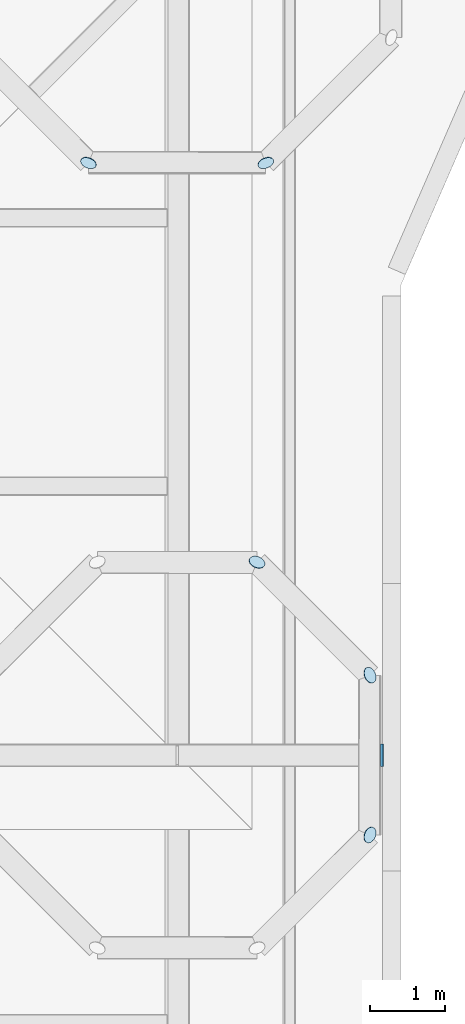
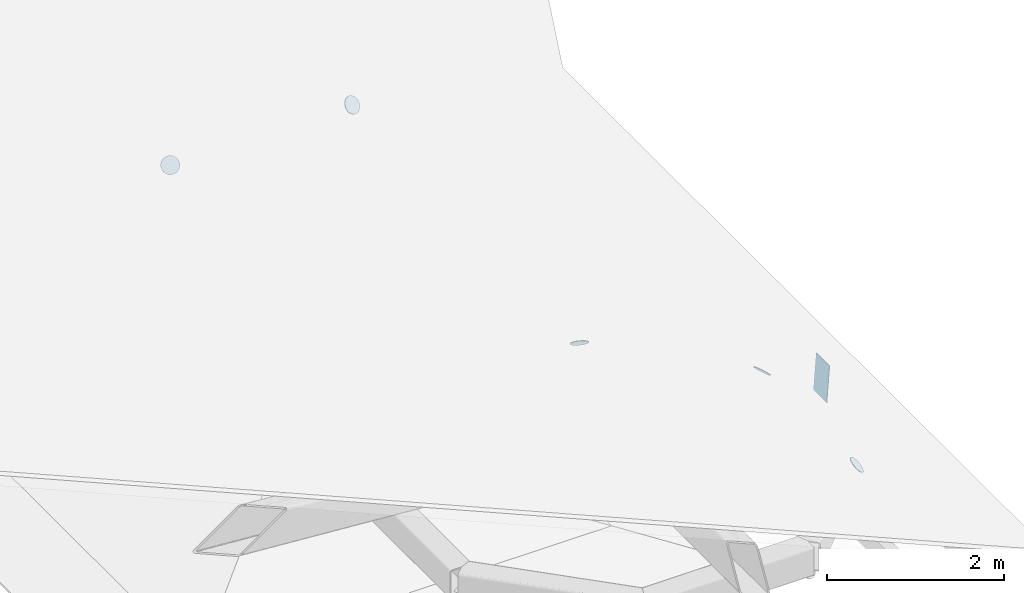
# One storey, part 65 of 95: 6 plates.
"""IFC4 building model written with IfcOpenShell, lengths in metres."""

from ifc_helpers import new_model, si_unit, direction, frame, origin, origin_2d, place, context, subcontext, project, spatial, rectangle, circle, extrude, material, material_profile, profile_set, type_object, element, save


model = new_model("IFC4")

# Units and contexts
model_context = context("Model", 3, precision=1e-05, world=origin(), true_north=direction((0.0, 1.0)))
body_context = subcontext(model_context, "Body", "Model", "MODEL_VIEW")
ifc_project = project(units=[si_unit("LENGTHUNIT", "METRE"), si_unit("AREAUNIT", "SQUARE_METRE"), si_unit("VOLUMEUNIT", "CUBIC_METRE"), si_unit("PLANEANGLEUNIT", "RADIAN"), si_unit("MASSUNIT", "GRAM", prefix="KILO")], contexts=[model_context])

# Site, building, storey
site_placement = place(None, origin())
site = spatial("IfcSite", under=ifc_project, at=site_placement, CompositionType="ELEMENT")
building_placement = place(site_placement, origin())
building = spatial("IfcBuilding", under=site, at=building_placement, Name="Magnolia Steps Interchange", CompositionType="ELEMENT")
storey_placement = place(building_placement, frame((0.0, 0.0, 4.800048828125)))
storey = spatial("IfcBuildingStorey", under=building, at=storey_placement, Name="L01", CompositionType="ELEMENT", Elevation=4.800048828125)

# Plates
ifc_material_1 = material(Name="Steel Q355B", Category="steel")
ifc_material_profile_1 = material_profile(ifc_material_1, circle(Radius=0.109619140625, at=origin_2d()), Name="End plate CHS219x10")
ifc_profile_set_1 = profile_set([ifc_material_profile_1], Name="Steel Q355B")
plate_type_1 = type_object("IfcPlateType", Name="End plate CHS219x10", PredefinedType="SHEET", material=ifc_profile_set_1)
for number, where, z_axis, x_axis, name in (
    (1, (185.3798828125, 65.068603515625, 0.7685546875), (0.687747805205, 0.284874468085, 0.667719622199), (-0.382683431994, 0.923879532665, 0.0), "End plate Tree rib"),
    (2, (183.86865234375, 66.580078125, 0.7685546875), (0.284874468085, 0.687747805205, 0.667719622199), (-0.923879532665, 0.382683431994, 0.0), "End plate Tree rib"),
    (3, (185.3798828125, 62.931396484375, 0.7685546875), (0.687747805205, -0.284874468085, 0.667719622199), (0.382683431994, 0.923879532665, 0.0), "End plate Tree rib"),
    (4, (181.61376953125, 71.93603515625, 0.7685546875), (-0.304377001973, -0.734831085934, 0.606117080946), (0.923879532456, -0.3826834325, 0.0), "End plate Tree rib"),
    (5, (183.986328125, 71.93603515625, 0.7685546875), (0.304377001973, -0.734831085934, 0.606117080946), (0.923879532456, 0.3826834325, 0.0), "End plate Tree rib"),
):
    element("IfcPlate", number, at=place(storey_placement, frame(where, z_axis=z_axis, x_axis=x_axis)), inside=storey, type_object=plate_type_1, Name=name, PredefinedType="SHEET", context=body_context, shape_type="SweptSolid", body=[
        extrude(circle(Radius=0.109619140625, at=origin_2d()), origin(), (0.0, 0.0, 1.0), 0.008056640625),
    ])
ifc_material_2 = material(Name="Steel Q355B", Category="steel")
ifc_material_profile_2 = material_profile(ifc_material_2, rectangle(XDim=0.300048828125, YDim=0.5, at=origin_2d()), Name="End plate RHS500x300x16")
ifc_profile_set_2 = profile_set([ifc_material_profile_2], Name="Steel Q355B")
plate_type_2 = type_object("IfcPlateType", Name="End plate RHS500x300x16", PredefinedType="SHEET", material=ifc_profile_set_2)
plate_placement = place(storey_placement, frame((185.5400390625, 64.0, 1.26806640625), z_axis=(0.997351913919, 0.0, -0.072726609994), x_axis=(0.0, 1.0, 0.0)))
element("IfcPlate", 6, at=plate_placement, inside=storey, type_object=plate_type_2, Name="End plate Roof beam", PredefinedType="SHEET", context=body_context, shape_type="SweptSolid", body=[
    extrude(rectangle(XDim=0.300048828125, YDim=0.5, at=origin_2d()), origin(), (0.0, 0.0, 1.0), 0.008056640625),
])

save(model, "model.ifc")
